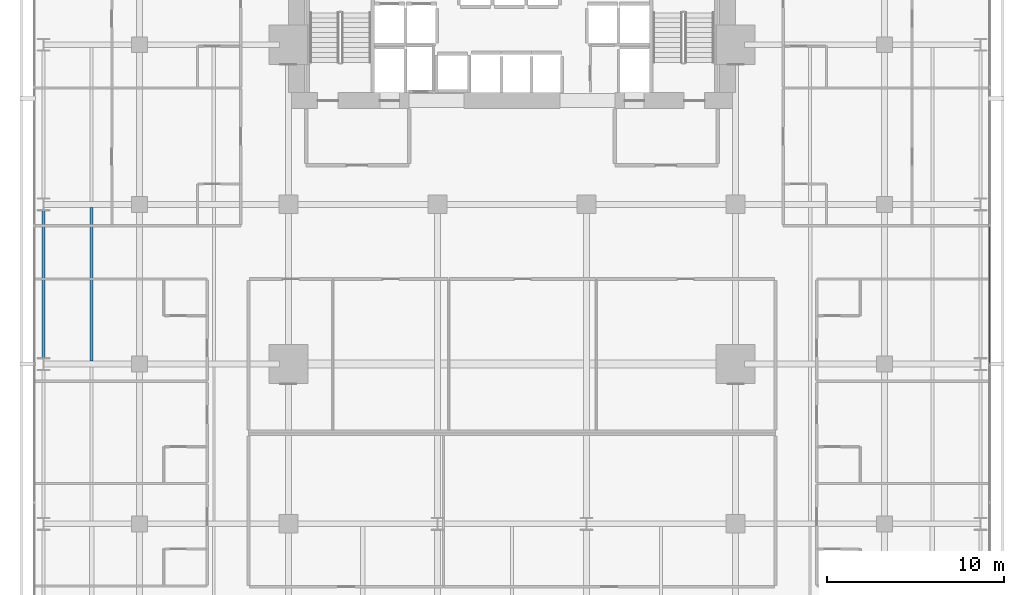
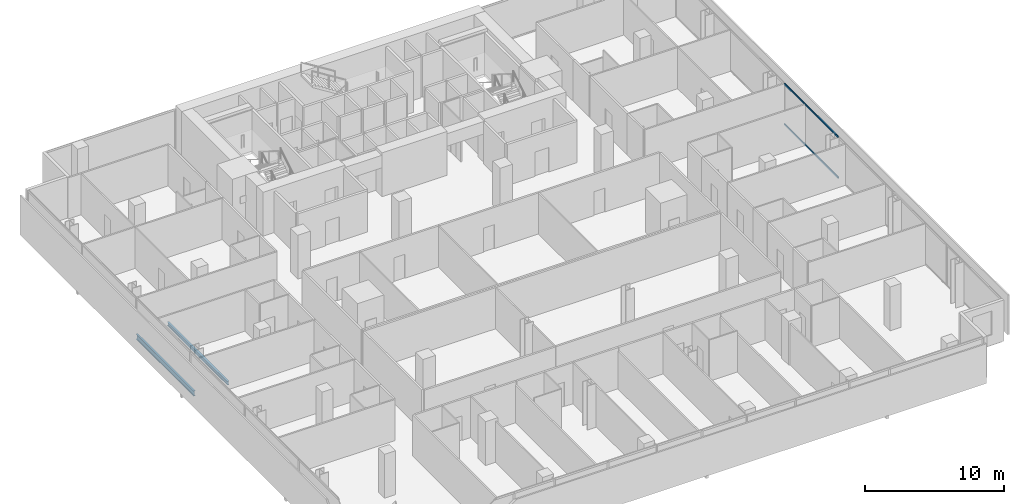
# One storey, part 20 of 40: 2 beams, 2 members, 1 element without a shape of its own.
"""IFC4 building model written with IfcOpenShell, lengths in metres."""

from ifc_helpers import new_model, si_unit, direction, frame, origin, origin_2d, place, context, subcontext, project, spatial, hollow_rectangle, i_section, extrude, material, layer, layer_set, material_profile, profile_set, type_object, element, aggregate, save


model = new_model("IFC4")

# Units and contexts
model_context = context("Model", 3, precision=1e-05, world=origin(), true_north=direction((0.0, 1.0)))
body_context = subcontext(model_context, "Body", "Model", "MODEL_VIEW")
ifc_project = project(units=[si_unit("LENGTHUNIT", "METRE"), si_unit("AREAUNIT", "SQUARE_METRE"), si_unit("VOLUMEUNIT", "CUBIC_METRE"), si_unit("PLANEANGLEUNIT", "RADIAN"), si_unit("MASSUNIT", "GRAM", prefix="KILO")], contexts=[model_context])

# Site, building, storey
site_placement = place(None, origin())
site = spatial("IfcSite", under=ifc_project, at=site_placement, CompositionType="ELEMENT")
building_placement = place(site_placement, origin())
building = spatial("IfcBuilding", under=site, at=building_placement, Name="Maruvema Waterfront Hotel and Observation Tower", CompositionType="ELEMENT")
storey_placement = place(building_placement, frame((0.0, 0.0, 92.39990234375)))
storey = spatial("IfcBuildingStorey", under=building, at=storey_placement, Name="L22", CompositionType="ELEMENT", Elevation=92.39990234375)

# Curtain wall, members
ifc_material_1 = material(Name="Anodised bronze aluminium and solar-control low-E IGU", Category="aluminium")
ifc_layer = layer(ifc_material_1, 0.159912109375, Name="Zone 1 Bronze Inner Thermal Curtain Wall System CW-02")
ifc_layer_set = layer_set([ifc_layer], Name="Anodised bronze aluminium and solar-control low-E IGU")
curtain_wall_type = type_object("IfcCurtainWallType", Name="Zone 1 Bronze Inner Thermal Curtain Wall System CW-02", PredefinedType="USERDEFINED", material=ifc_layer_set)
curtain_wall_placement = place(storey_placement, origin())
curtain_wall = element("IfcCurtainWall", 1, at=curtain_wall_placement, inside=storey, type_object=curtain_wall_type, Name="L22 Curtain Wall CW-L22-E", ObjectType="UNITISED CURTAIN WALL", PredefinedType="USERDEFINED")
ifc_material_2 = material(Name="Anodised architectural bronze aluminium", Category="aluminium")
ifc_material_profile_1 = material_profile(ifc_material_2, hollow_rectangle(XDim=0.070068359375, YDim=0.14990234375, WallThickness=0.00390625, at=origin_2d()), Name="ALU-T70x150")
ifc_profile_set_1 = profile_set([ifc_material_profile_1], Name="Anodised architectural bronze aluminium")
member_type = type_object("IfcMemberType", Name="Curtain Wall Horizontal Transom ALU-T70x150", PredefinedType="USERDEFINED", material=ifc_profile_set_1)
member_1_placement = place(storey_placement, frame((64.719970703125, 27.030029296875, 0.030029296875), z_axis=(0.0, 1.0, 0.0), x_axis=(-1.0, 0.0, 0.0)))
member_1 = element("IfcMember", 2, at=member_1_placement, type_object=member_type, Name="CW-02 transom 4.1", ObjectType="TRANSOM", PredefinedType="USERDEFINED", context=body_context, shape_type="SweptSolid", body=[
    extrude(hollow_rectangle(XDim=0.070068359375, YDim=0.14990234375, WallThickness=0.00390625, at=origin_2d()), origin(), (0.0, 0.0, 1.0), 7.739990234375),
])
member_2_placement = place(storey_placement, frame((64.719970703125, 27.030029296875, 3.580078125), z_axis=(0.0, 1.0, 0.0), x_axis=(-1.0, 0.0, 0.0)))
member_2 = element("IfcMember", 3, at=member_2_placement, type_object=member_type, Name="CW-02 transom 4.2", ObjectType="TRANSOM", PredefinedType="USERDEFINED", context=body_context, shape_type="SweptSolid", body=[
    extrude(hollow_rectangle(XDim=0.070068359375, YDim=0.14990234375, WallThickness=0.00390625, at=origin_2d()), origin(), (0.0, 0.0, 1.0), 7.739990234375),
])
aggregate(curtain_wall, [member_1, member_2])

# Beams
ifc_material_3 = material(Name="Steel ASTM A572 Grade 50", Category="steel")
ifc_material_profile_2 = material_profile(ifc_material_3, i_section(OverallWidth=0.153076171875, OverallDepth=0.455078125, WebThickness=0.008056640625, FlangeThickness=0.01318359375, FilletRadius=0.014892578125, at=origin_2d()), Name="W460x60.0")
ifc_profile_set_2 = profile_set([ifc_material_profile_2], Name="Steel ASTM A572 Grade 50")
beam_type_1 = type_object("IfcBeamType", Name="Perimeter Spandrel Beam W460x60.0", PredefinedType="SPANDREL", material=ifc_profile_set_2)
beam_1_placement = place(storey_placement, frame((11.39990234375, 27.35009765625, -0.46728515625), z_axis=(0.0, 1.0, 0.0), x_axis=(-1.0, 0.0, 0.0)))
element("IfcBeam", 4, at=beam_1_placement, inside=storey, type_object=beam_type_1, Name="L22 Floor Girder NS-03", PredefinedType="SPANDREL", context=body_context, shape_type="SweptSolid", body=[
    extrude(i_section(OverallWidth=0.153076171875, OverallDepth=0.455078125, WebThickness=0.008056640625, FlangeThickness=0.01318359375, FilletRadius=0.014892578125, at=origin_2d()), origin(), (0.0, 0.0, 1.0), 8.2998046875),
])
ifc_material_4 = material(Name="Steel ASTM A572 Grade 50", Category="steel")
ifc_material_profile_3 = material_profile(ifc_material_4, i_section(OverallWidth=0.1650390625, OverallDepth=0.31005859375, WebThickness=0.005859375, FlangeThickness=0.009765625, FilletRadius=0.012939453125, at=origin_2d()), Name="W310x38.7")
ifc_profile_set_3 = profile_set([ifc_material_profile_3], Name="Steel ASTM A572 Grade 50")
beam_type_2 = type_object("IfcBeamType", Name="Secondary Floor Joist W310x38.7", PredefinedType="JOIST", material=ifc_profile_set_3)
beam_2_placement = place(storey_placement, frame((14.10009765625, 27.162109375, -0.39501953125), z_axis=(0.0, 1.0, 0.0), x_axis=(-1.0, 0.0, 0.0)))
element("IfcBeam", 5, at=beam_2_placement, inside=storey, type_object=beam_type_2, Name="L22 Secondary Floor Joist JS-03", PredefinedType="JOIST", context=body_context, shape_type="SweptSolid", body=[
    extrude(i_section(OverallWidth=0.1650390625, OverallDepth=0.31005859375, WebThickness=0.005859375, FlangeThickness=0.009765625, FilletRadius=0.012939453125, at=origin_2d()), origin(), (0.0, 0.0, 1.0), 8.67578125),
])

save(model, "model.ifc")
